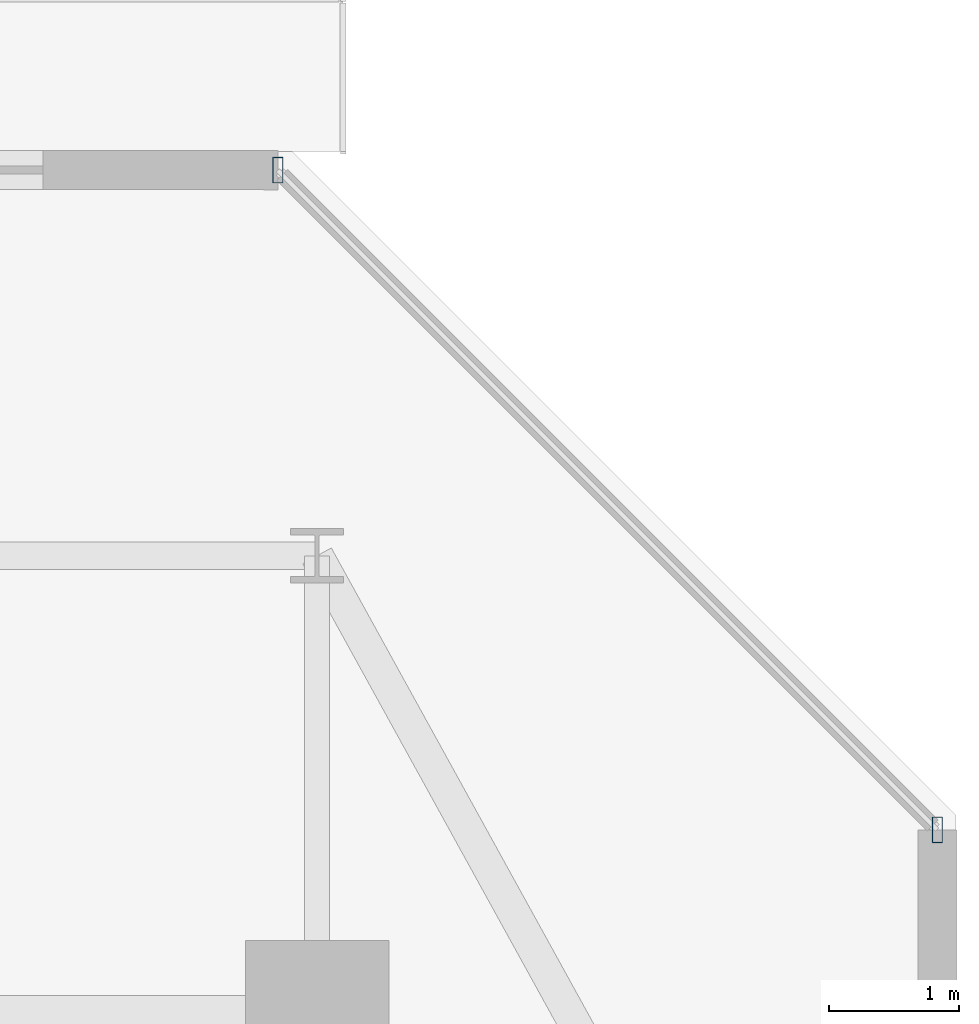
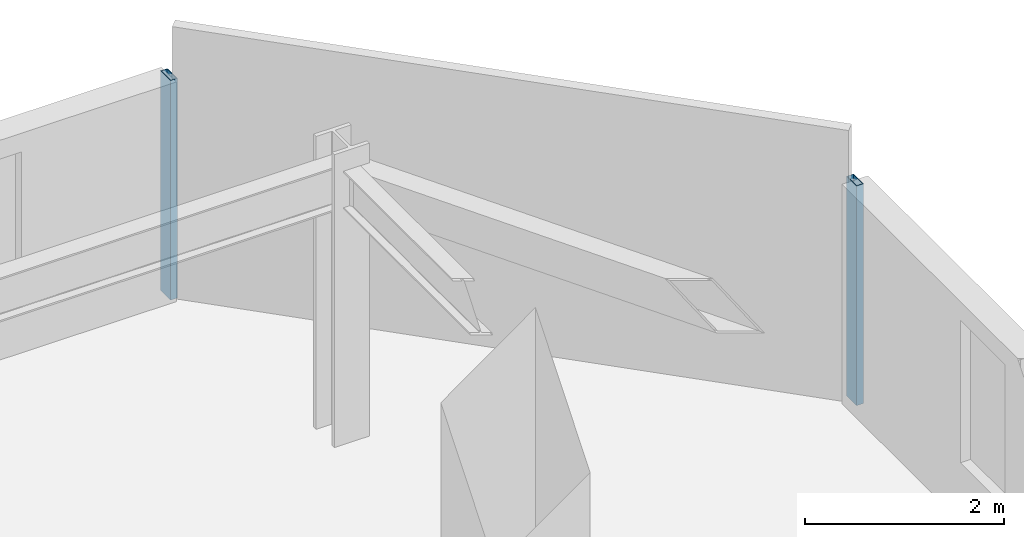
# One storey, part 17 of 33: 2 members, 1 element without a shape of its own.
"""IFC4 building model written with IfcOpenShell, lengths in metres."""

from ifc_helpers import new_model, si_unit, direction, frame, origin, origin_2d, place, context, subcontext, project, spatial, hollow_rectangle, extrude, material, material_profile, profile_set, type_object, element, aggregate, save


model = new_model("IFC4")

# Units and contexts
model_context = context("Model", 3, precision=1e-05, world=origin(), true_north=direction((0.0, 1.0)))
body_context = subcontext(model_context, "Body", "Model", "MODEL_VIEW")
ifc_project = project(units=[si_unit("LENGTHUNIT", "METRE"), si_unit("AREAUNIT", "SQUARE_METRE"), si_unit("VOLUMEUNIT", "CUBIC_METRE"), si_unit("PLANEANGLEUNIT", "RADIAN"), si_unit("MASSUNIT", "GRAM", prefix="KILO")], contexts=[model_context])

# Site, building, storey
site_placement = place(None, origin())
site = spatial("IfcSite", under=ifc_project, at=site_placement, CompositionType="ELEMENT")
building_placement = place(site_placement, origin())
building = spatial("IfcBuilding", under=site, at=building_placement, Name="Thornwick Lancets Civic Towers", CompositionType="ELEMENT")
storey_placement = place(building_placement, frame((0.0, 0.0, 189.300048828125)))
storey = spatial("IfcBuildingStorey", under=building, at=storey_placement, Name="L50", CompositionType="ELEMENT", Elevation=189.300048828125)

# Curtain wall, members
ifc_material_1 = material(Name="Mid-zone chamfered-corner unitised glass curtain wall", Category="glass")
curtain_wall_type = type_object("IfcCurtainWallType", Name="CW_SYS_04", PredefinedType="NOTDEFINED", material=ifc_material_1)
curtain_wall_placement = place(storey_placement, origin())
curtain_wall = element("IfcCurtainWall", 1, at=curtain_wall_placement, inside=storey, type_object=curtain_wall_type, Name="L50 Curtain Wall CW-L50-B-E3", PredefinedType="NOTDEFINED")
ifc_material_2 = material(Name="Thermally broken bronze aluminium S355", Category="steel")
ifc_material_profile = material_profile(ifc_material_2, hollow_rectangle(XDim=0.080078125, YDim=0.199951171875, WallThickness=0.006103515625, at=origin_2d()), Name="RHS 200x80x6")
ifc_profile_set = profile_set([ifc_material_profile], Name="Thermally broken bronze aluminium S355")
member_type = type_object("IfcMemberType", Name="CW_MUL_200", PredefinedType="MULLION", material=ifc_profile_set)
member_1_placement = place(storey_placement, frame((106.25634765625, 45.699462890625, 0.0), z_axis=(0.0, 0.0, 1.0), x_axis=(1.0, 0.0, 0.0)))
member_1 = element("IfcMember", 2, at=member_1_placement, type_object=member_type, Name="CW-L50-B-E3 Mullion 0", PredefinedType="MULLION", context=body_context, shape_type="SweptSolid", body=[
    extrude(hollow_rectangle(XDim=0.080078125, YDim=0.199951171875, WallThickness=0.006103515625, at=origin_2d()), origin(), (0.0, 0.0, 1.0), 2.699951171875),
])
member_2_placement = place(storey_placement, frame((101.199462890625, 50.75634765625, 0.0), z_axis=(0.0, 0.0, 1.0), x_axis=(1.0, 0.0, 0.0)))
member_2 = element("IfcMember", 3, at=member_2_placement, type_object=member_type, Name="CW-L50-B-E3 Mullion 1", PredefinedType="MULLION", context=body_context, shape_type="SweptSolid", body=[
    extrude(hollow_rectangle(XDim=0.080078125, YDim=0.199951171875, WallThickness=0.006103515625, at=origin_2d()), origin(), (0.0, 0.0, 1.0), 2.699951171875),
])
aggregate(curtain_wall, [member_1, member_2])

save(model, "model.ifc")
